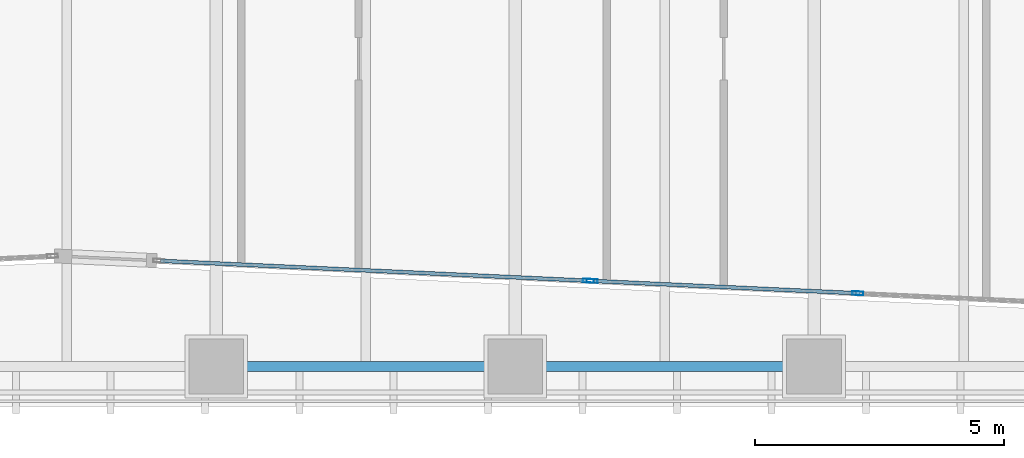
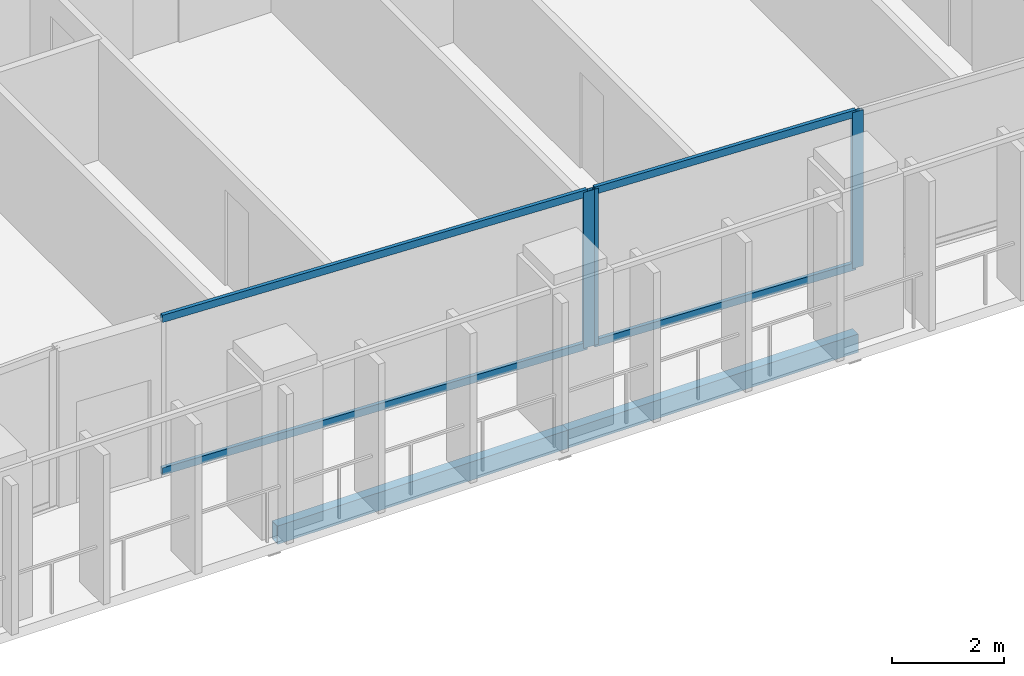
# One storey, part 7 of 31: 7 members, 2 beams, 2 elements without a shape of their own.
"""IFC4 building model written with IfcOpenShell, lengths in metres."""

from ifc_helpers import new_model, si_unit, direction, frame, origin, origin_2d, place, context, subcontext, project, spatial, hollow_rectangle, extrude, material, layer, layer_set, material_profile, profile_set, type_object, element, aggregate, save


model = new_model("IFC4")

# Units and contexts
model_context = context("Model", 3, precision=1e-05, world=origin(), true_north=direction((0.0, 1.0)))
body_context = subcontext(model_context, "Body", "Model", "MODEL_VIEW")
ifc_project = project(units=[si_unit("LENGTHUNIT", "METRE"), si_unit("AREAUNIT", "SQUARE_METRE"), si_unit("VOLUMEUNIT", "CUBIC_METRE"), si_unit("PLANEANGLEUNIT", "RADIAN"), si_unit("MASSUNIT", "GRAM", prefix="KILO")], contexts=[model_context])

# Site, building, storey
site_placement = place(None, origin())
site = spatial("IfcSite", under=ifc_project, at=site_placement, CompositionType="ELEMENT")
building_placement = place(site_placement, origin())
building = spatial("IfcBuilding", under=site, at=building_placement, Name="Tanjung Sevakor Pilgrim Tower", CompositionType="ELEMENT")
storey_placement = place(building_placement, frame((0.0, 0.0, 58.739990234375)))
storey = spatial("IfcBuildingStorey", under=building, at=storey_placement, Name="L16", CompositionType="ELEMENT", Elevation=58.739990234375)

# Beams
ifc_material_1 = material(Name="Steel S355J2", Category="steel")
ifc_material_profile_1 = material_profile(ifc_material_1, hollow_rectangle(XDim=0.199951171875, YDim=0.39990234375, WallThickness=0.01611328125, at=origin_2d()))
ifc_profile_set_1 = profile_set([ifc_material_profile_1], Name="Steel S355J2")
beam_type = type_object("IfcBeamType", Name="BM-B-SP2-RHS_400x200x16", PredefinedType="SPANDREL", material=ifc_profile_set_1)
for number, where, z_axis, x_axis, name in (
    (1, (66.0, 8.39990234375, -0.419921875), (1.0, 0.0, 0.0), (0.0, 1.0, 0.0), "L16 Spandrel MAIN S-11"),
    (2, (72.0, 8.39990234375, -0.419921875), (1.0, 0.0, 0.0), (0.0, 1.0, 0.0), "L16 Spandrel MAIN S-13"),
):
    element("IfcBeam", number, at=place(storey_placement, frame(where, z_axis=z_axis, x_axis=x_axis)), inside=storey, type_object=beam_type, Name=name, PredefinedType="SPANDREL", context=body_context, shape_type="SweptSolid", body=[
        extrude(hollow_rectangle(XDim=0.199951171875, YDim=0.39990234375, WallThickness=0.01611328125, at=origin_2d()), origin(), (0.0, 0.0, 1.0), 6.0),
    ])

# Curtain wall, member
ifc_material_2 = material(Name="Aluminium 6063-T6 and Low-E Glass", Category="aluminium")
ifc_layer = layer(ifc_material_2, 0.199951171875)
ifc_layer_set = layer_set([ifc_layer], Name="CW-SYS-PRAY")
curtain_wall_type = type_object("IfcCurtainWallType", Name="CW-SYS-PRAY", PredefinedType="NOTDEFINED", material=ifc_layer_set)
curtain_wall_1_placement = place(storey_placement, origin())
curtain_wall_1 = element("IfcCurtainWall", 3, at=curtain_wall_1_placement, inside=storey, type_object=curtain_wall_type, Name="L16 Curtain Wall CW-PRY-L16-10B", PredefinedType="NOTDEFINED")
ifc_material_3 = material(Name="Aluminium 6063-T6", Category="aluminium")
ifc_material_profile_2 = material_profile(ifc_material_3, hollow_rectangle(XDim=0.074951171875, YDim=0.219970703125, WallThickness=0.0048828125, at=origin_2d()))
ifc_profile_set_2 = profile_set([ifc_material_profile_2], Name="Aluminium 6063-T6")
member_type_1 = type_object("IfcMemberType", Name="TYPE-CWM-2", PredefinedType="MULLION", material=ifc_profile_set_2)
member_1_placement = place(storey_placement, frame((73.468994140625, 10.12158203125, 0.0), z_axis=(0.0, 0.0, 1.0), x_axis=(0.046473924043, 0.998919503456, 0.0)))
member_1 = element("IfcMember", 4, at=member_1_placement, type_object=member_type_1, Name="CW-PRY mullion 2", PredefinedType="MULLION", context=body_context, shape_type="SweptSolid", body=[
    extrude(hollow_rectangle(XDim=0.074951171875, YDim=0.219970703125, WallThickness=0.0048828125, at=origin_2d()), origin(), (0.0, 0.0, 1.0), 3.409912109375),
])

# Curtain wall, members
curtain_wall_2_placement = place(storey_placement, origin())
curtain_wall_2 = element("IfcCurtainWall", 5, at=curtain_wall_2_placement, inside=storey, type_object=curtain_wall_type, Name="L16 Curtain Wall CW-PRY-L16-11", PredefinedType="NOTDEFINED")
member_2_placement = place(storey_placement, frame((73.5439453125, 10.1181640625, 0.0), z_axis=(0.0, 0.0, 1.0), x_axis=(0.046452337274, 0.998920507529, 0.0)))
member_2 = element("IfcMember", 6, at=member_2_placement, type_object=member_type_1, Name="CW-PRY mullion 1", PredefinedType="MULLION", context=body_context, shape_type="SweptSolid", body=[
    extrude(hollow_rectangle(XDim=0.074951171875, YDim=0.219970703125, WallThickness=0.0048828125, at=origin_2d()), origin(), (0.0, 0.0, 1.0), 3.409912109375),
])
member_3_placement = place(storey_placement, frame((78.878173828125, 9.8701171875, 0.0), z_axis=(0.0, 0.0, 1.0), x_axis=(0.046452337274, 0.998920507529, 0.0)))
member_3 = element("IfcMember", 7, at=member_3_placement, type_object=member_type_1, Name="CW-PRY mullion 2", PredefinedType="MULLION", context=body_context, shape_type="SweptSolid", body=[
    extrude(hollow_rectangle(XDim=0.074951171875, YDim=0.219970703125, WallThickness=0.0048828125, at=origin_2d()), origin(), (0.0, 0.0, 1.0), 3.409912109375),
])

# Member
ifc_material_4 = material(Name="Aluminium 6063-T6", Category="aluminium")
ifc_material_profile_3 = material_profile(ifc_material_4, hollow_rectangle(XDim=0.074951171875, YDim=0.159912109375, WallThickness=0.00439453125, at=origin_2d()))
ifc_profile_set_3 = profile_set([ifc_material_profile_3], Name="Aluminium 6063-T6")
member_type_2 = type_object("IfcMemberType", Name="TYPE-CWT-2", PredefinedType="USERDEFINED", material=ifc_profile_set_3)
member_4_placement = place(storey_placement, frame((64.8828125, 10.52099609375, 0.03759765625), z_axis=(0.998919624169, -0.046471329329, 0.0), x_axis=(0.046471329329, 0.998919624169, 0.0)))
member_4 = element("IfcMember", 8, at=member_4_placement, type_object=member_type_2, Name="CW-PRY transom 1.1", ObjectType="TRANSOM", PredefinedType="USERDEFINED", context=body_context, shape_type="SweptSolid", body=[
    extrude(hollow_rectangle(XDim=0.074951171875, YDim=0.159912109375, WallThickness=0.00439453125, at=origin_2d()), origin(), (0.0, 0.0, 1.0), 8.55810546875),
])

member_5_placement = place(storey_placement, frame((64.8828125, 10.52099609375, 3.37255859375), z_axis=(0.998919624169, -0.046471329329, 0.0), x_axis=(0.046471329329, 0.998919624169, 0.0)))
member_5 = element("IfcMember", 9, at=member_5_placement, type_object=member_type_2, Name="CW-PRY transom 1.2", ObjectType="TRANSOM", PredefinedType="USERDEFINED", context=body_context, shape_type="SweptSolid", body=[
    extrude(hollow_rectangle(XDim=0.074951171875, YDim=0.159912109375, WallThickness=0.00439453125, at=origin_2d()), origin(), (0.0, 0.0, 1.0), 8.55810546875),
])

aggregate(curtain_wall_1, [member_1, member_4, member_5])

member_6_placement = place(storey_placement, frame((73.581298828125, 10.1162109375, 0.03759765625), z_axis=(0.998922237038, -0.046415130635, 0.0), x_axis=(0.046415130635, 0.998922237038, 0.0)))
member_6 = element("IfcMember", 10, at=member_6_placement, type_object=member_type_2, Name="CW-PRY transom 1.1", ObjectType="TRANSOM", PredefinedType="USERDEFINED", context=body_context, shape_type="SweptSolid", body=[
    extrude(hollow_rectangle(XDim=0.074951171875, YDim=0.159912109375, WallThickness=0.00439453125, at=origin_2d()), origin(), (0.0, 0.0, 1.0), 5.26513671875),
])

member_7_placement = place(storey_placement, frame((73.581298828125, 10.1162109375, 3.37255859375), z_axis=(0.998922237038, -0.046415130635, 0.0), x_axis=(0.046415130635, 0.998922237038, 0.0)))
member_7 = element("IfcMember", 11, at=member_7_placement, type_object=member_type_2, Name="CW-PRY transom 1.2", ObjectType="TRANSOM", PredefinedType="USERDEFINED", context=body_context, shape_type="SweptSolid", body=[
    extrude(hollow_rectangle(XDim=0.074951171875, YDim=0.159912109375, WallThickness=0.00439453125, at=origin_2d()), origin(), (0.0, 0.0, 1.0), 5.26513671875),
])

aggregate(curtain_wall_2, [member_2, member_3, member_6, member_7])

save(model, "model.ifc")
